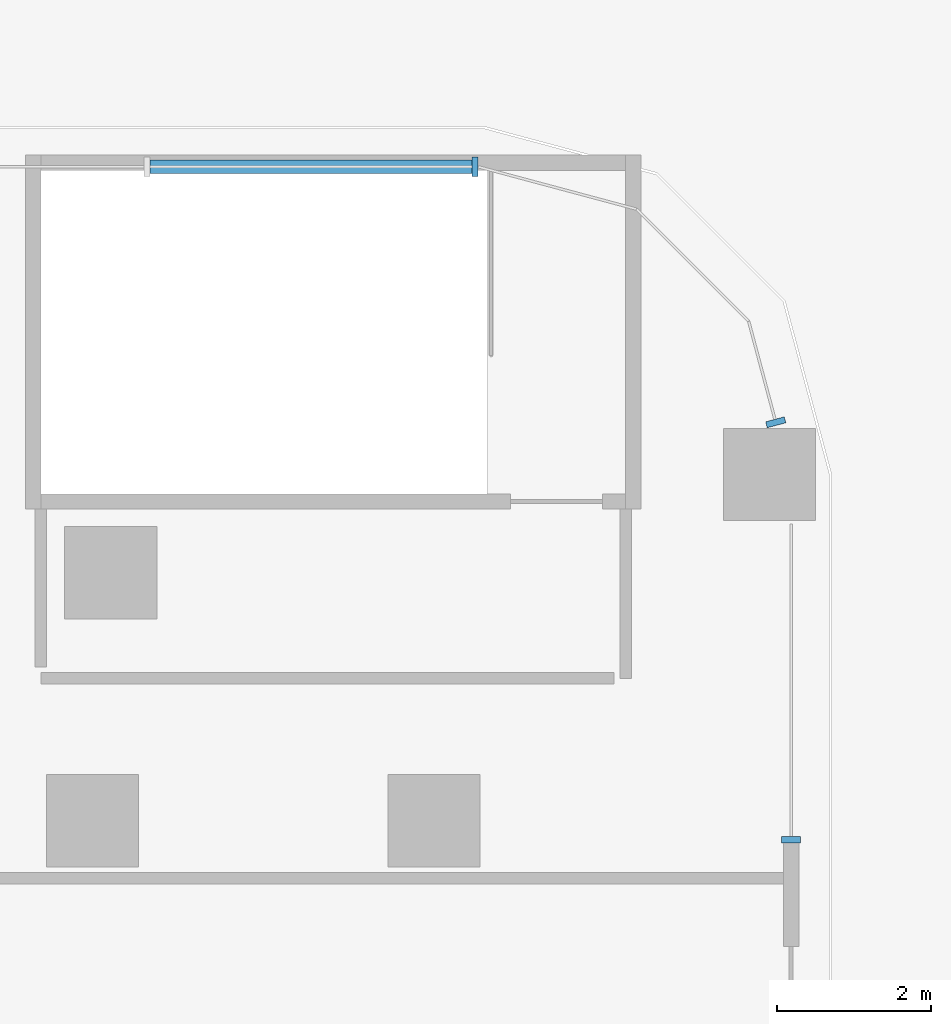
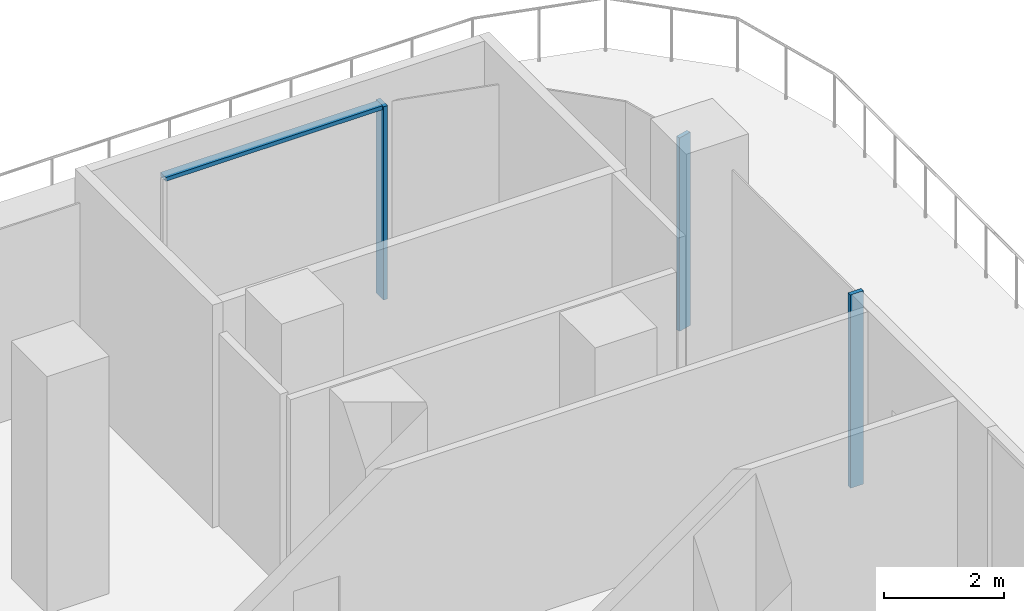
# One storey, part 8 of 21: 4 members, 3 elements without a shape of their own.
"""IFC4 building model written with IfcOpenShell, lengths in metres."""

from ifc_helpers import new_model, si_unit, direction, frame, origin, place, context, subcontext, project, spatial, polyline, outline, extrude, source, transform, mapped, material, type_object, element, aggregate, save


model = new_model("IFC4")

# Units and contexts
model_context = context("Model", 3, precision=1e-05, world=origin(), true_north=direction((0.0, 1.0)))
body_context = subcontext(model_context, "Body", "Model", "MODEL_VIEW")
ifc_project = project(units=[si_unit("LENGTHUNIT", "METRE"), si_unit("AREAUNIT", "SQUARE_METRE"), si_unit("VOLUMEUNIT", "CUBIC_METRE"), si_unit("PLANEANGLEUNIT", "RADIAN"), si_unit("MASSUNIT", "GRAM", prefix="KILO")], contexts=[model_context])

# Site, building, storey
site_placement = place(None, origin())
site = spatial("IfcSite", under=ifc_project, at=site_placement, CompositionType="ELEMENT")
building_placement = place(site_placement, origin())
building = spatial("IfcBuilding", under=site, at=building_placement, Name="Zarbagh Exchange Tower", CompositionType="ELEMENT")
storey_placement = place(building_placement, frame((0.0, 0.0, 22.0)))
storey = spatial("IfcBuildingStorey", under=building, at=storey_placement, Name="L04", CompositionType="ELEMENT", Elevation=22.0)

# Curtain wall, member
ifc_material_1 = material(Name="Anodised aluminium frame and glazing", Category="aluminium")
curtain_wall_type = type_object("IfcCurtainWallType", Name="CWC Podium garden-wall glazing", PredefinedType="NOTDEFINED", material=ifc_material_1)
curtain_wall_1_placement = place(storey_placement, origin())
curtain_wall_1 = element("IfcCurtainWall", 1, at=curtain_wall_1_placement, inside=storey, type_object=curtain_wall_type, Name="CWC195 curtain wall", PredefinedType="NOTDEFINED")
ifc_material_2 = material(Name="Anodised aluminium frame", Category="aluminium")
member_type_1 = type_object("IfcMemberType", Name="MUC Mullion, anodised aluminium frame", PredefinedType="MULLION", material=ifc_material_2)
shared_shape_1 = source(origin(), body_context, "Body", "SweptSolid", [
    extrude(outline(polyline([(0.0, -0.125), (0.080078125, -0.125), (0.080078125, 0.125), (0.0, 0.125), (0.0, -0.125)])), origin(), (0.0, 0.0, 1.0), 3.949951171875),
])
placement = place(storey_placement, origin())
member_1 = element("IfcMember", 2, at=placement, type_object=member_type_1, Name="CWC195 mullion 2.1", PredefinedType="MULLION", context=body_context, shape_type="MappedRepresentation", body=[
    mapped(shared_shape_1, transform((37.75, 1.962890625, 0.0), x_axis=(0.0, 1.0, 0.0), y_axis=(-1.0, 0.0, 0.0), z_axis=(0.0, 0.0, 1.0))),
])
aggregate(curtain_wall_1, [member_1])

curtain_wall_2_placement = place(storey_placement, origin())
curtain_wall_2 = element("IfcCurtainWall", 3, at=curtain_wall_2_placement, inside=storey, type_object=curtain_wall_type, Name="CWC196 curtain wall", PredefinedType="NOTDEFINED")
member_2 = element("IfcMember", 4, at=placement, type_object=member_type_1, Name="CWC196 mullion 1.1", PredefinedType="MULLION", context=body_context, shape_type="MappedRepresentation", body=[
    mapped(shared_shape_1, transform((37.560791015625, 7.389892578125, 0.0), x_axis=(-0.258824779902, 0.965924289636, 0.0), y_axis=(-0.965924289636, -0.258824779902, 0.0), z_axis=(0.0, 0.0, 1.0))),
])
aggregate(curtain_wall_2, [member_2])

# Curtain wall, members
curtain_wall_3_placement = place(storey_placement, origin())
curtain_wall_3 = element("IfcCurtainWall", 5, at=curtain_wall_3_placement, inside=storey, type_object=curtain_wall_type, Name="CWC199 curtain wall", PredefinedType="NOTDEFINED")
member_3 = element("IfcMember", 6, at=placement, type_object=member_type_1, Name="CWC199 mullion 1.1", PredefinedType="MULLION", context=body_context, shape_type="MappedRepresentation", body=[
    mapped(shared_shape_1, transform((33.68408203125, 10.75, 0.0), x_axis=(-1.0, 0.0, 0.0), y_axis=(0.0, -1.0, 0.0), z_axis=(0.0, 0.0, 1.0))),
])
member_type_2 = type_object("IfcMemberType", Name="TRC Transom, anodised aluminium frame", PredefinedType="USERDEFINED", material=ifc_material_2)
shared_shape_2 = source(origin(), body_context, "Body", "SweptSolid", [
    extrude(outline(polyline([(-0.080078125, -0.090087890625), (0.0, -0.090087890625), (0.0, 0.090087890625), (-0.080078125, 0.090087890625), (-0.080078125, -0.090087890625)])), origin(), (0.0, 0.0, 1.0), 4.184814453125),
])
member_4 = element("IfcMember", 7, at=placement, type_object=member_type_2, Name="CWC199 transom 1.1", ObjectType="TRANSOM", PredefinedType="USERDEFINED", context=body_context, shape_type="MappedRepresentation", body=[
    mapped(shared_shape_2, transform((33.604248046875, 10.75, 3.949951171875), x_axis=(0.0, 0.0, 1.0), y_axis=(0.0, 1.0, 0.0), z_axis=(-1.0, 0.0, 0.0))),
])
aggregate(curtain_wall_3, [member_3, member_4])

save(model, "model.ifc")
